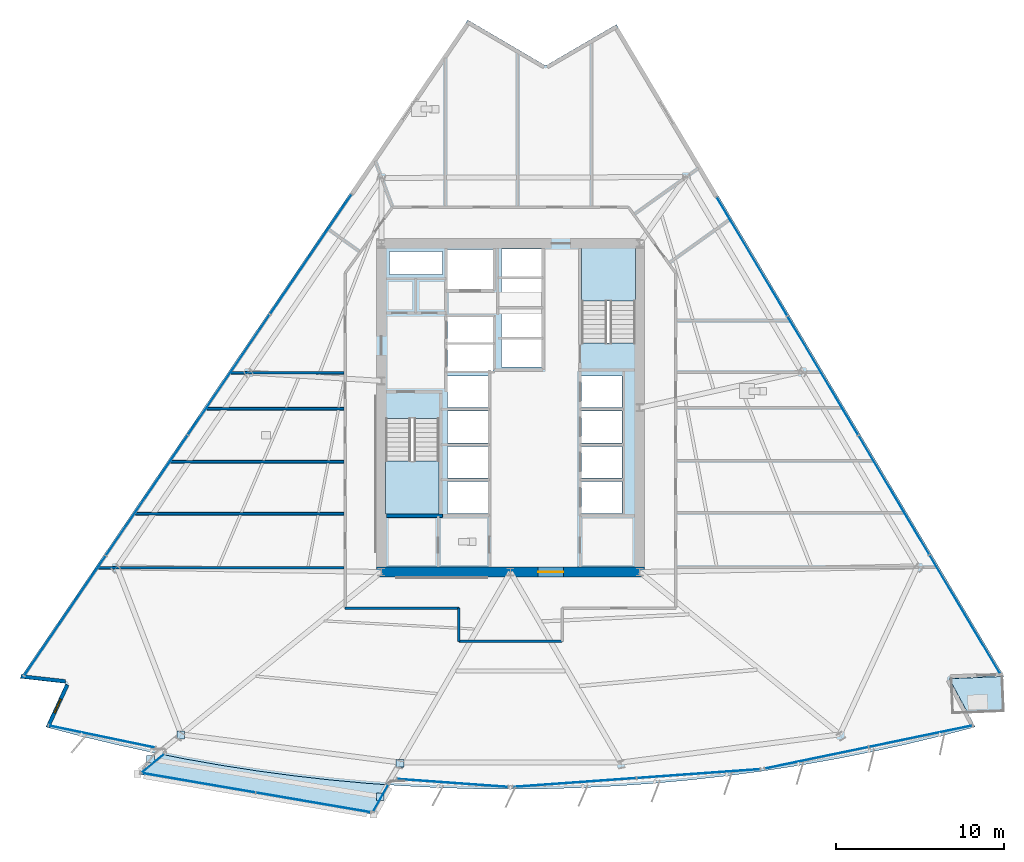
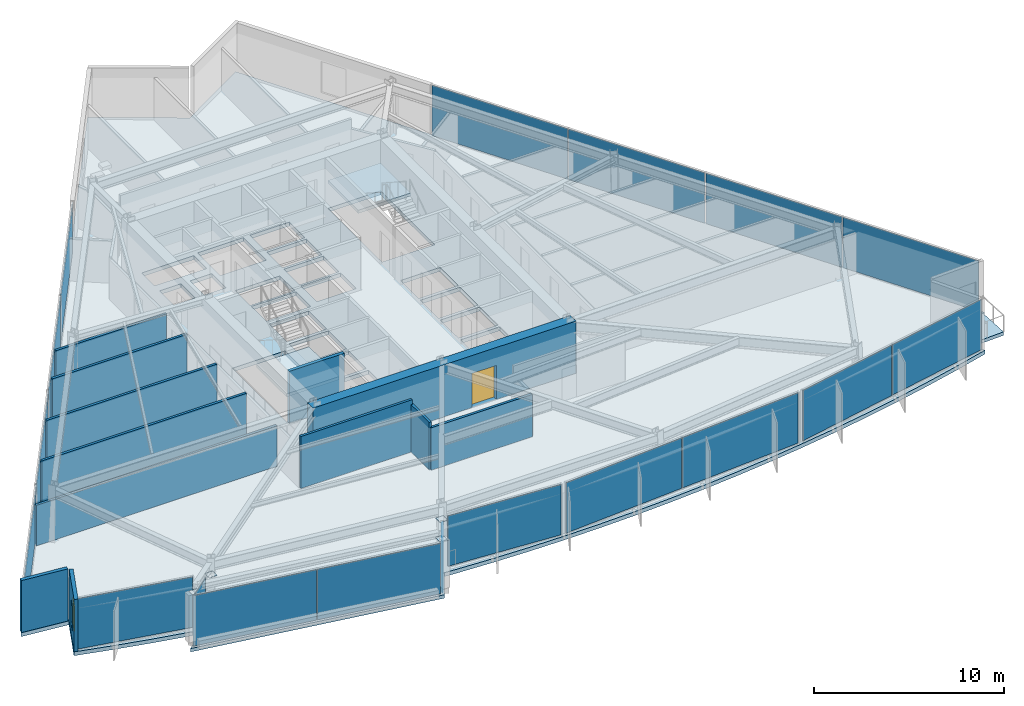
# One storey, part 8 of 17: 22 plates, 12 walls, 5 slabs, 1 door, 1 window, 2 openings, 11 elements without a shape of their own.
"""IFC4 building model written with IfcOpenShell, lengths in metres."""

from ifc_helpers import new_model, si_unit, direction, frame, frame_2d, origin, origin_2d, place, context, subcontext, project, spatial, polyline, rectangle, outline, extrude, material, layer, layer_set, type_object, element, fill, aggregate, save


model = new_model("IFC4")

# Units and contexts
model_context = context("Model", 3, precision=1e-05, world=origin(), true_north=direction((0.0, 1.0)))
body_context = subcontext(model_context, "Body", "Model", "MODEL_VIEW")
ifc_project = project(units=[si_unit("LENGTHUNIT", "METRE"), si_unit("AREAUNIT", "SQUARE_METRE"), si_unit("VOLUMEUNIT", "CUBIC_METRE"), si_unit("PLANEANGLEUNIT", "RADIAN"), si_unit("MASSUNIT", "GRAM", prefix="KILO")], contexts=[model_context])

# Site, building, storey
site_placement = place(None, origin())
site = spatial("IfcSite", under=ifc_project, at=site_placement, CompositionType="ELEMENT")
building_placement = place(site_placement, origin())
building = spatial("IfcBuilding", under=site, at=building_placement, Name="Savorim Split Tower", CompositionType="ELEMENT")
storey_placement = place(building_placement, frame((0.0, 0.0, 58.800048828125)))
storey = spatial("IfcBuildingStorey", under=building, at=storey_placement, Name="L15", CompositionType="ELEMENT", Elevation=58.800048828125)

# Curtain wall, plate
ifc_material_1 = material(Name="Dark Ceramic-Fritted Insulated Glass", Category="glass")
curtain_wall_type_1 = type_object("IfcCurtainWallType", Name="CW-TWR-FRIT-A", PredefinedType="NOTDEFINED", material=ifc_material_1)
curtain_wall_1_placement = place(storey_placement, origin())
curtain_wall_1 = element("IfcCurtainWall", 1, at=curtain_wall_1_placement, inside=storey, type_object=curtain_wall_type_1, Name="L15 Curtain Wall CW-L15-SF1A", PredefinedType="NOTDEFINED")
ifc_layer_1 = layer(ifc_material_1, 0.028076171875)
ifc_layer_set_1 = layer_set([ifc_layer_1], Name="CWP-FRITA-28")
plate_type_1 = type_object("IfcPlateType", Name="CWP-FRITA-28", PredefinedType="CURTAIN_PANEL", material=ifc_layer_set_1)
plate_1_placement = place(storey_placement, frame((-24.37451171875, -19.212890625, 0.05517578125), z_axis=(0.0, 0.0, 1.0), x_axis=(0.979135263748, -0.203209584628, 0.0)))
plate_1 = element("IfcPlate", 2, at=plate_1_placement, type_object=plate_type_1, Name="CW-02 panel 1.1", PredefinedType="CURTAIN_PANEL", context=body_context, shape_type="SweptSolid", body=[
    extrude(rectangle(XDim=6.450439453125, YDim=0.028076171875, at=origin_2d()), origin(), (0.0, 0.0, 1.0), 3.239990234375),
])
aggregate(curtain_wall_1, [plate_1])

curtain_wall_2_placement = place(storey_placement, origin())
curtain_wall_2 = element("IfcCurtainWall", 3, at=curtain_wall_2_placement, inside=storey, type_object=curtain_wall_type_1, Name="L15 Curtain Wall CW-L15-SF2A", PredefinedType="NOTDEFINED")
plate_2_placement = place(storey_placement, frame((-3.45947265625, -21.98193359375, 0.05517578125), z_axis=(0.0, 0.0, 1.0), x_axis=(0.997436404283, -0.071558503422, 0.0)))
plate_2 = element("IfcPlate", 4, at=plate_2_placement, type_object=plate_type_1, Name="CW-02 panel 1.1", PredefinedType="CURTAIN_PANEL", context=body_context, shape_type="SweptSolid", body=[
    extrude(rectangle(XDim=6.6240234375, YDim=0.028076171875, at=origin_2d()), origin(), (0.0, 0.0, 1.0), 3.239990234375),
])
aggregate(curtain_wall_2, [plate_2])

# Curtain wall, plates
curtain_wall_3_placement = place(storey_placement, origin())
curtain_wall_3 = element("IfcCurtainWall", 5, at=curtain_wall_3_placement, inside=storey, type_object=curtain_wall_type_1, Name="L15 Curtain Wall CW-L15-SF3A", PredefinedType="NOTDEFINED")
plate_3_placement = place(storey_placement, frame((3.8203125, -21.9560546875, 0.05517578125), z_axis=(0.0, 0.0, 1.0), x_axis=(0.99743638956, 0.071558708634, 0.0)))
plate_3 = element("IfcPlate", 6, at=plate_3_placement, type_object=plate_type_1, Name="CW-02 panel 1.1", PredefinedType="CURTAIN_PANEL", context=body_context, shape_type="SweptSolid", body=[
    extrude(rectangle(XDim=7.347412109375, YDim=0.028076171875, at=origin_2d()), origin(), (0.0, 0.0, 1.0), 3.239990234375),
])
plate_4_placement = place(storey_placement, frame((11.2138671875, -21.425537109375, 0.05517578125), z_axis=(0.0, 0.0, 1.0), x_axis=(0.99743638956, 0.071558708634, 0.0)))
plate_4 = element("IfcPlate", 7, at=plate_4_placement, type_object=plate_type_1, Name="CW-02 panel 2.1", PredefinedType="CURTAIN_PANEL", context=body_context, shape_type="SweptSolid", body=[
    extrude(rectangle(XDim=7.347412109375, YDim=0.028076171875, at=origin_2d()), origin(), (0.0, 0.0, 1.0), 3.239990234375),
])
aggregate(curtain_wall_3, [plate_3, plate_4])

curtain_wall_4_placement = place(storey_placement, origin())
curtain_wall_4 = element("IfcCurtainWall", 8, at=curtain_wall_4_placement, inside=storey, type_object=curtain_wall_type_1, Name="L15 Curtain Wall CW-L15-SF4A", PredefinedType="NOTDEFINED")
plate_5_placement = place(storey_placement, frame((18.258544921875, -20.482421875, 0.05517578125), z_axis=(0.0, 0.0, 1.0), x_axis=(0.979133896415, 0.203216172809, 0.0)))
plate_5 = element("IfcPlate", 9, at=plate_5_placement, type_object=plate_type_1, Name="CW-02 panel 1.1", PredefinedType="CURTAIN_PANEL", context=body_context, shape_type="SweptSolid", body=[
    extrude(rectangle(XDim=6.27099609375, YDim=0.028076171875, at=origin_2d()), origin(), (0.0, 0.0, 1.0), 3.239990234375),
])
plate_6_placement = place(storey_placement, frame((24.46240234375, -19.19482421875, 0.05517578125), z_axis=(0.0, 0.0, 1.0), x_axis=(0.979133896415, 0.203216172809, 0.0)))
plate_6 = element("IfcPlate", 10, at=plate_6_placement, type_object=plate_type_1, Name="CW-02 panel 2.1", PredefinedType="CURTAIN_PANEL", context=body_context, shape_type="SweptSolid", body=[
    extrude(rectangle(XDim=6.27099609375, YDim=0.028076171875, at=origin_2d()), origin(), (0.0, 0.0, 1.0), 3.239990234375),
])
aggregate(curtain_wall_4, [plate_5, plate_6])

curtain_wall_5_placement = place(storey_placement, origin())
curtain_wall_5 = element("IfcCurtainWall", 11, at=curtain_wall_5_placement, inside=storey, type_object=curtain_wall_type_1, Name="L15 Curtain Wall CW-L15-EAST", PredefinedType="NOTDEFINED")
plate_7_placement = place(storey_placement, frame((27.0947265625, -11.918701171875, 0.05517578125), z_axis=(0.0, 0.0, 1.0), x_axis=(-0.511092320583, 0.859525822673, 0.0)))
plate_7 = element("IfcPlate", 12, at=plate_7_placement, type_object=plate_type_1, Name="CW-02 panel 1.1", PredefinedType="CURTAIN_PANEL", context=body_context, shape_type="SweptSolid", body=[
    extrude(rectangle(XDim=8.18896484375, YDim=0.028076171875, at=origin_2d()), origin(), (0.0, 0.0, 1.0), 3.239990234375),
])
plate_8_placement = place(storey_placement, frame((22.867919921875, -4.81005859375, 0.05517578125), z_axis=(0.0, 0.0, 1.0), x_axis=(-0.511092320583, 0.859525822673, 0.0)))
plate_8 = element("IfcPlate", 13, at=plate_8_placement, type_object=plate_type_1, Name="CW-02 panel 2.1", PredefinedType="CURTAIN_PANEL", context=body_context, shape_type="SweptSolid", body=[
    extrude(rectangle(XDim=8.221435546875, YDim=0.028076171875, at=origin_2d()), origin(), (0.0, 0.0, 1.0), 3.239990234375),
])
plate_9_placement = place(storey_placement, frame((18.632568359375, 2.3125, 0.05517578125), z_axis=(0.0, 0.0, 1.0), x_axis=(-0.511092320583, 0.859525822673, 0.0)))
plate_9 = element("IfcPlate", 14, at=plate_9_placement, type_object=plate_type_1, Name="CW-02 panel 3.1", PredefinedType="CURTAIN_PANEL", context=body_context, shape_type="SweptSolid", body=[
    extrude(rectangle(XDim=8.221435546875, YDim=0.028076171875, at=origin_2d()), origin(), (0.0, 0.0, 1.0), 3.239990234375),
])
plate_10_placement = place(storey_placement, frame((14.40576171875, 9.4208984375, 0.05517578125), z_axis=(0.0, 0.0, 1.0), x_axis=(-0.511092320583, 0.859525822673, 0.0)))
plate_10 = element("IfcPlate", 15, at=plate_10_placement, type_object=plate_type_1, Name="CW-02 panel 4.1", PredefinedType="CURTAIN_PANEL", context=body_context, shape_type="SweptSolid", body=[
    extrude(rectangle(XDim=8.18896484375, YDim=0.028076171875, at=origin_2d()), origin(), (0.0, 0.0, 1.0), 3.239990234375),
])
aggregate(curtain_wall_5, [plate_7, plate_8, plate_9, plate_10])

curtain_wall_6_placement = place(storey_placement, origin())
curtain_wall_6 = element("IfcCurtainWall", 16, at=curtain_wall_6_placement, inside=storey, type_object=curtain_wall_type_1, Name="L15 Curtain Wall CW-L15-WEST", PredefinedType="NOTDEFINED")
plate_11_placement = place(storey_placement, frame((-11.907470703125, 9.5517578125, 0.05517578125), z_axis=(0.0, 0.0, 1.0), x_axis=(-0.562466356423, -0.826820172644, 0.0)))
plate_11 = element("IfcPlate", 17, at=plate_11_placement, type_object=plate_type_1, Name="CW-02 panel 1.1", PredefinedType="CURTAIN_PANEL", context=body_context, shape_type="SweptSolid", body=[
    extrude(rectangle(XDim=8.606201171875, YDim=0.028076171875, at=origin_2d()), origin(), (0.0, 0.0, 1.0), 3.239990234375),
])
plate_12_placement = place(storey_placement, frame((-16.7939453125, 2.368896484375, 0.05517578125), z_axis=(0.0, 0.0, 1.0), x_axis=(-0.562466356423, -0.826820172644, 0.0)))
plate_12 = element("IfcPlate", 18, at=plate_12_placement, type_object=plate_type_1, Name="CW-02 panel 2.1", PredefinedType="CURTAIN_PANEL", context=body_context, shape_type="SweptSolid", body=[
    extrude(rectangle(XDim=8.638671875, YDim=0.028076171875, at=origin_2d()), origin(), (0.0, 0.0, 1.0), 3.239990234375),
])
plate_13_placement = place(storey_placement, frame((-21.689453125, -4.82763671875, 0.05517578125), z_axis=(0.0, 0.0, 1.0), x_axis=(-0.562466356423, -0.826820172644, 0.0)))
plate_13 = element("IfcPlate", 19, at=plate_13_placement, type_object=plate_type_1, Name="CW-02 panel 3.1", PredefinedType="CURTAIN_PANEL", context=body_context, shape_type="SweptSolid", body=[
    extrude(rectangle(XDim=8.638671875, YDim=0.028076171875, at=origin_2d()), origin(), (0.0, 0.0, 1.0), 3.239990234375),
])
plate_14_placement = place(storey_placement, frame((-26.57568359375, -12.010498046875, 0.05517578125), z_axis=(0.0, 0.0, 1.0), x_axis=(-0.562466356423, -0.826820172644, 0.0)))
plate_14 = element("IfcPlate", 20, at=plate_14_placement, type_object=plate_type_1, Name="CW-02 panel 4.1", PredefinedType="CURTAIN_PANEL", context=body_context, shape_type="SweptSolid", body=[
    extrude(rectangle(XDim=8.606201171875, YDim=0.028076171875, at=origin_2d()), origin(), (0.0, 0.0, 1.0), 3.239990234375),
])
aggregate(curtain_wall_6, [plate_11, plate_12, plate_13, plate_14])

curtain_wall_type_2 = type_object("IfcCurtainWallType", Name="CW-BAY-LOUNGE", PredefinedType="NOTDEFINED", material=ifc_material_1)
curtain_wall_7_placement = place(storey_placement, origin())
curtain_wall_7 = element("IfcCurtainWall", 21, at=curtain_wall_7_placement, inside=storey, type_object=curtain_wall_type_2, Name="L15 Curtain Wall CW-L15-BAYF", PredefinedType="NOTDEFINED")
ifc_material_2 = material(Name="Low-E Operable Double Glazing", Category="glass")
ifc_layer_2 = layer(ifc_material_2, 0.031982421875)
ifc_layer_set_2 = layer_set([ifc_layer_2], Name="CWP-POD-32")
plate_type_2 = type_object("IfcPlateType", Name="CWP-POD-32", PredefinedType="CURTAIN_PANEL", material=ifc_layer_set_2)
plate_15_placement = place(storey_placement, frame((-18.64404296875, -21.964599609375, 0.05517578125), z_axis=(0.0, 0.0, 1.0), x_axis=(0.985629301473, -0.168922704446, 0.0)))
plate_15 = element("IfcPlate", 22, at=plate_15_placement, type_object=plate_type_2, Name="CW-04 panel 1.1", PredefinedType="CURTAIN_PANEL", context=body_context, shape_type="SweptSolid", body=[
    extrude(rectangle(XDim=6.924072265625, YDim=0.031982421875, at=origin_2d()), origin(), (0.0, 0.0, 1.0), 3.239990234375),
])
plate_16_placement = place(storey_placement, frame((-11.75537109375, -23.145263671875, 0.05517578125), z_axis=(0.0, 0.0, 1.0), x_axis=(0.985629301473, -0.168922704446, 0.0)))
plate_16 = element("IfcPlate", 23, at=plate_16_placement, type_object=plate_type_2, Name="CW-04 panel 2.1", PredefinedType="CURTAIN_PANEL", context=body_context, shape_type="SweptSolid", body=[
    extrude(rectangle(XDim=6.924072265625, YDim=0.031982421875, at=origin_2d()), origin(), (0.0, 0.0, 1.0), 3.239990234375),
])
aggregate(curtain_wall_7, [plate_15, plate_16])

# Curtain wall, plate
curtain_wall_8_placement = place(storey_placement, origin())
curtain_wall_8 = element("IfcCurtainWall", 24, at=curtain_wall_8_placement, inside=storey, type_object=curtain_wall_type_2, Name="L15 Curtain Wall CW-L15-BAYW", PredefinedType="NOTDEFINED")
plate_17_placement = place(storey_placement, frame((-21.326904296875, -20.808349609375, 0.05517578125), z_axis=(0.0, 0.0, 1.0), x_axis=(-0.770361091507, -0.637607864358, 0.0)))
plate_17 = element("IfcPlate", 25, at=plate_17_placement, type_object=plate_type_2, Name="CW-04 panel 1.1", PredefinedType="CURTAIN_PANEL", context=body_context, shape_type="SweptSolid", body=[
    extrude(rectangle(XDim=1.705078125, YDim=0.031982421875, at=origin_2d()), origin(), (0.0, 0.0, 1.0), 3.239990234375),
])
aggregate(curtain_wall_8, [plate_17])

curtain_wall_9_placement = place(storey_placement, origin())
curtain_wall_9 = element("IfcCurtainWall", 26, at=curtain_wall_9_placement, inside=storey, type_object=curtain_wall_type_2, Name="L15 Curtain Wall CW-L15-BAYE", PredefinedType="NOTDEFINED")
plate_18_placement = place(storey_placement, frame((-7.73779296875, -22.879150390625, 0.05517578125), z_axis=(0.0, 0.0, 1.0), x_axis=(0.492259363735, 0.870448573332, 0.0)))
plate_18 = element("IfcPlate", 27, at=plate_18_placement, type_object=plate_type_2, Name="CW-04 panel 1.1", PredefinedType="CURTAIN_PANEL", context=body_context, shape_type="SweptSolid", body=[
    extrude(rectangle(XDim=1.81005859375, YDim=0.031982421875, at=origin_2d()), origin(), (0.0, 0.0, 1.0), 3.239990234375),
])
aggregate(curtain_wall_9, [plate_18])

# Plates
ifc_material_3 = material(Name="Steel S460", Category="steel")
ifc_layer_3 = layer(ifc_material_3, 0.02490234375)
ifc_layer_set_3 = layer_set([ifc_layer_3], Name="PLT-NODE-CN1")
plate_type_3 = type_object("IfcPlateType", Name="PLT-NODE-CN1", PredefinedType="SHEET", material=ifc_layer_set_3)
for number, where, z_axis, x_axis, name in (
    (28, (-19.665283203125, -19.12353515625, 2.4375), (0.0, 0.0, 1.0), (1.0, 0.0, 0.0), "L15 Bay Strut Column Gusset Plate 1"),
    (29, (-21.466796875, -20.5654296875, 2.8076171875), (0.0, 0.0, 1.0), (1.0, 0.0, 0.0), "L15 Bay Strut Tip Gusset Plate 1"),
    (30, (-6.5908203125, -20.80224609375, 2.4375), (0.0, 0.0, 1.0), (1.0, 0.0, 0.0), "L15 Bay Strut Column Gusset Plate 2"),
    (31, (-7.760986328125, -22.795166015625, 2.8076171875), (0.0, 0.0, 1.0), (1.0, 0.0, 0.0), "L15 Bay Strut Tip Gusset Plate 2"),
):
    element("IfcPlate", number, at=place(storey_placement, frame(where, z_axis=z_axis, x_axis=x_axis)), inside=storey, type_object=plate_type_3, Name=name, PredefinedType="SHEET", context=body_context, shape_type="SweptSolid", body=[
        extrude(rectangle(XDim=0.4599609375, YDim=0.4599609375, at=origin_2d()), origin(), (0.0, 0.0, 1.0), 0.02490234375),
    ])

# Slabs
ifc_material_4 = material(Name="Concrete C50/60", Category="concrete")
ifc_layer_4 = layer(ifc_material_4, 0.219970703125)
ifc_layer_set_4 = layer_set([ifc_layer_4], Name="SLB-BAL-220")
slab_type_1 = type_object("IfcSlabType", Name="SLB-BAL-220", PredefinedType="FLOOR", material=ifc_layer_set_4)
slab_1_placement = place(storey_placement, frame((0.0, 0.0, -0.219970703125)))
element("IfcSlab", 32, at=slab_1_placement, inside=storey, type_object=slab_type_1, Name="L15 Cantilevered Shared Kitchen Lounge Slab", PredefinedType="FLOOR", context=body_context, shape_type="SweptSolid", body=[
    extrude(outline(polyline([(-7.1826171875, -22.1005859375), (-8.62060546875, -21.997314453125), (-10.768798828125, -21.799072265625), (-12.912841796875, -21.556640625), (-15.05126953125, -21.2705078125), (-17.183349609375, -20.940673828125), (-19.308349609375, -20.5673828125), (-20.830322265625, -20.267578125), (-22.255615234375, -21.447021484375), (-8.177490234375, -23.85986328125), (-7.1826171875, -22.1005859375)])), origin(), (0.0, 0.0, 1.0), 0.219970703125),
])
slab_2_placement = place(storey_placement, frame((0.0, 0.0, -0.219970703125)))
element("IfcSlab", 33, at=slab_2_placement, inside=storey, type_object=slab_type_1, Name="L15 Notched Corner Planted Tree Balcony Slab", PredefinedType="FLOOR", context=body_context, shape_type="SweptSolid", body=[
    extrude(outline(polyline([(29.31640625, -15.631591796875), (26.29248046875, -15.76025390625), (26.302490234375, -15.991943359375), (27.25439453125, -17.76611328125), (29.4033203125, -17.6748046875), (29.31640625, -15.631591796875)])), origin(), (0.0, 0.0, 1.0), 0.219970703125),
])

# Stair, slab
stair_type = type_object("IfcStairType", Name="STR-DOG-3600", PredefinedType="HALF_TURN_STAIR", material=ifc_material_4)
stair_1_placement = place(storey_placement, origin())
stair_1 = element("IfcStair", 34, at=stair_1_placement, inside=storey, type_object=stair_type, Name="L15 Core Protected Exit Stair ST-1", PredefinedType="HALF_TURN_STAIR")
ifc_layer_5 = layer(ifc_material_4, 0.199951171875)
ifc_layer_set_5 = layer_set([ifc_layer_5], Name="SLB-LND-200")
slab_type_2 = type_object("IfcSlabType", Name="SLB-LND-200", PredefinedType="LANDING", material=ifc_layer_set_5)
slab_3_placement = place(storey_placement, frame((0.0, 0.0, 1.599853515625)))
slab_3 = element("IfcSlab", 35, at=slab_3_placement, type_object=slab_type_2, Name="ST-1 landing 1", PredefinedType="LANDING", context=body_context, shape_type="SweptSolid", body=[
    extrude(outline(polyline([(-7.449951171875, -2.77001953125), (-7.449951171875, -5.949951171875), (-4.25, -5.949951171875), (-4.25, -2.77001953125), (-7.449951171875, -2.77001953125)])), origin(), (0.0, 0.0, 1.0), 0.2001953125),
])
aggregate(stair_1, [slab_3])

stair_2_placement = place(storey_placement, origin())
stair_2 = element("IfcStair", 36, at=stair_2_placement, inside=storey, type_object=stair_type, Name="L15 Core Protected Exit Stair ST-2", PredefinedType="HALF_TURN_STAIR")
slab_4_placement = place(storey_placement, frame((0.0, 0.0, 1.599853515625)))
slab_4 = element("IfcSlab", 37, at=slab_4_placement, type_object=slab_type_2, Name="ST-2 landing 1", PredefinedType="LANDING", context=body_context, shape_type="SweptSolid", body=[
    extrude(outline(polyline([(7.449951171875, 6.77001953125), (7.449951171875, 9.949951171875), (4.25, 9.949951171875), (4.25, 6.77001953125), (7.449951171875, 6.77001953125)])), origin(), (0.0, 0.0, 1.0), 0.2001953125),
])
aggregate(stair_2, [slab_4])

# Slab
ifc_layer_6 = layer(ifc_material_4, 0.25)
ifc_layer_set_6 = layer_set([ifc_layer_6], Name="SLB-TWR-250")
slab_type_3 = type_object("IfcSlabType", Name="SLB-TWR-250", PredefinedType="FLOOR", material=ifc_layer_set_6)
slab_5_placement = place(storey_placement, frame((0.0, 0.0, -0.25)))
element("IfcSlab", 38, at=slab_5_placement, inside=storey, type_object=slab_type_3, Name="L15 Structural Floor Slab", PredefinedType="FLOOR", context=body_context, shape_type="SweptSolid", body=[
    extrude(outline(polyline([(-27.718505859375, -18.6416015625), (-25.631103515625, -19.1875), (-23.533203125, -19.6904296875), (-21.42529296875, -20.150390625), (-19.308349609375, -20.5673828125), (-17.183349609375, -20.940673828125), (-15.05126953125, -21.2705078125), (-12.912841796875, -21.556640625), (-10.768798828125, -21.799072265625), (-8.62060546875, -21.997314453125), (-6.468505859375, -22.15185546875), (-4.31396484375, -22.26220703125), (-2.157470703125, -22.328369140625), (0.0, -22.350341796875), (2.157470703125, -22.328369140625), (4.31396484375, -22.26220703125), (6.468505859375, -22.15185546875), (8.62060546875, -21.997314453125), (10.768798828125, -21.799072265625), (12.912841796875, -21.556640625), (15.05126953125, -21.2705078125), (17.183349609375, -20.940673828125), (19.308349609375, -20.5673828125), (21.42529296875, -20.150390625), (23.533203125, -19.6904296875), (25.631103515625, -19.1875), (27.718505859375, -18.6416015625), (26.17236328125, -15.760498046875), (29.436279296875, -15.62158203125), (6.318603515625, 23.256591796875), (2.098388671875, 20.797119140625), (-2.5458984375, 23.526611328125), (-29.255615234375, -15.736572265625), (-26.523681640625, -16.04150390625), (-27.718505859375, -18.6416015625)]), holes=[polyline([(-7.449951171875, -0.25390625), (-7.449951171875, -5.949951171875), (-4.25, -5.949951171875), (-4.25, -0.25390625), (-7.449951171875, -0.25390625)]), polyline([(7.449951171875, 4.25390625), (7.449951171875, 9.949951171875), (4.25, 9.949951171875), (4.25, 4.25390625), (7.449951171875, 4.25390625)]), polyline([(4.25, -5.89990234375), (6.64990234375, -5.89990234375), (6.64990234375, -4.0), (4.25, -4.0), (4.25, -5.89990234375)]), polyline([(4.25, -3.800048828125), (6.64990234375, -3.800048828125), (6.64990234375, -1.89990234375), (4.25, -1.89990234375), (4.25, -3.800048828125)]), polyline([(4.25, -1.699951171875), (6.64990234375, -1.699951171875), (6.64990234375, 0.199951171875), (4.25, 0.199951171875), (4.25, -1.699951171875)]), polyline([(4.25, 0.39990234375), (6.64990234375, 0.39990234375), (6.64990234375, 2.300048828125), (4.25, 2.300048828125), (4.25, 0.39990234375)]), polyline([(-3.75, -5.89990234375), (-1.35009765625, -5.89990234375), (-1.35009765625, -4.0), (-3.75, -4.0), (-3.75, -5.89990234375)]), polyline([(-3.75, -3.800048828125), (-1.35009765625, -3.800048828125), (-1.35009765625, -1.89990234375), (-3.75, -1.89990234375), (-3.75, -3.800048828125)]), polyline([(-3.75, -1.699951171875), (-1.35009765625, -1.699951171875), (-1.35009765625, 0.199951171875), (-3.75, 0.199951171875), (-3.75, -1.699951171875)]), polyline([(-3.75, 0.39990234375), (-1.35009765625, 0.39990234375), (-1.35009765625, 2.300048828125), (-3.75, 2.300048828125), (-3.75, 0.39990234375)]), polyline([(-0.550048828125, 2.830078125), (1.85009765625, 2.830078125), (1.85009765625, 4.469970703125), (-0.550048828125, 4.469970703125), (-0.550048828125, 2.830078125)]), polyline([(-0.550048828125, 4.6298828125), (1.85009765625, 4.6298828125), (1.85009765625, 6.27001953125), (-0.550048828125, 6.27001953125), (-0.550048828125, 4.6298828125)]), polyline([(-0.550048828125, 6.429931640625), (1.85009765625, 6.429931640625), (1.85009765625, 8.070068359375), (-0.550048828125, 8.070068359375), (-0.550048828125, 6.429931640625)]), polyline([(-0.550048828125, 8.22998046875), (1.85009765625, 8.22998046875), (1.85009765625, 9.8701171875), (-0.550048828125, 9.8701171875), (-0.550048828125, 8.22998046875)]), polyline([(-3.75, 2.60009765625), (-1.050048828125, 2.60009765625), (-1.050048828125, 4.159912109375), (-3.75, 4.159912109375), (-3.75, 2.60009765625)]), polyline([(-3.75, 4.280029296875), (-1.050048828125, 4.280029296875), (-1.050048828125, 5.840087890625), (-3.75, 5.840087890625), (-3.75, 4.280029296875)]), polyline([(-3.75, 7.449951171875), (-0.949951171875, 7.449951171875), (-0.949951171875, 9.85009765625), (-3.75, 9.85009765625), (-3.75, 7.449951171875)]), polyline([(-7.219970703125, 6.320068359375), (-5.919921875, 6.320068359375), (-5.919921875, 7.820068359375), (-7.219970703125, 7.820068359375), (-7.219970703125, 6.320068359375)]), polyline([(-5.3798828125, 6.320068359375), (-4.050048828125, 6.320068359375), (-4.050048828125, 7.820068359375), (-5.3798828125, 7.820068359375), (-5.3798828125, 6.320068359375)]), polyline([(-7.219970703125, 8.360107421875), (-4.050048828125, 8.360107421875), (-4.050048828125, 9.719970703125), (-7.219970703125, 9.719970703125), (-7.219970703125, 8.360107421875)])]), origin(), (0.0, 0.0, 1.0), 0.25),
])

# Wall, opening, door
ifc_material_5 = material(Name="Concrete C60/75", Category="concrete")
ifc_layer_7 = layer(ifc_material_5, 0.60009765625)
ifc_layer_set_7 = layer_set([ifc_layer_7], Name="WAL-COR-SH600")
wall_type_1 = type_object("IfcWallType", Name="WAL-COR-SH600", PredefinedType="SHEAR", material=ifc_layer_set_7)
wall_1_placement = place(storey_placement, frame((-8.0, -9.39990234375, 0.0), z_axis=(0.0, 0.0, 1.0), x_axis=(1.0, 0.0, 0.0)))
wall_1 = element("IfcWall", 39, at=wall_1_placement, inside=storey, type_object=wall_type_1, Name="L15 Offset Core South Shear Wall", PredefinedType="SHEAR", context=body_context, shape_type="SweptSolid", body=[
    extrude(rectangle(XDim=16.0, YDim=0.60009765625, at=frame_2d((8.0, 0.0))), origin(), (0.0, 0.0, 1.0), 3.349853515625),
])
opening_1_placement = place(wall_1_placement, frame((9.64990234375, 0.0, 0.0)))
opening_1 = element("IfcOpeningElement", 40, at=opening_1_placement, cuts=wall_1, Name="Opening DI-02", PredefinedType="OPENING", context=body_context, shape_type="SweptSolid", body=[
    extrude(rectangle(XDim=1.5, YDim=2.199951171875, at=frame_2d((0.75, 1.10009765625))), frame((0.0, 0.31005859375, 0.0), z_axis=(0.0, -1.0, 0.0), x_axis=(1.0, 0.0, 0.0)), (0.0, 0.0, 1.0), 0.6201171875),
])
ifc_material_6 = material(Name="Timber Fire Door Leaf", Category="wood")
door_type = type_object("IfcDoorType", Name="DOR-DBL-1500", OperationType="NOTDEFINED", PredefinedType="DOOR", material=ifc_material_6)
door_placement = place(opening_1_placement, origin())
door = element("IfcDoor", 41, at=door_placement, inside=storey, type_object=door_type, Name="DOR-L15-COR-LLOB - L15 Lift Lobby Main Rated Door", OperationType="DOUBLE_DOOR_SINGLE_SWING", OverallHeight=2.199951171875, OverallWidth=1.5, PredefinedType="DOOR", context=body_context, shape_type="SweptSolid", body=[
    extrude(rectangle(XDim=1.5, YDim=2.199951171875, at=frame_2d((0.75, 1.10009765625))), frame((0.0, 0.02490234375, 0.0), z_axis=(0.0, -1.0, 0.0), x_axis=(1.0, 0.0, 0.0)), (0.0, 0.0, 1.0), 0.050048828125),
])
fill(opening_1, door)

# Wall
ifc_material_7 = material(Name="Precast concrete C40/50", Category="concrete")
ifc_layer_8 = layer(ifc_material_7, 0.219970703125)
ifc_layer_set_8 = layer_set([ifc_layer_8], Name="WAL-EXT-CRN220")
wall_type_2 = type_object("IfcWallType", Name="WAL-EXT-CRN220", PredefinedType="SOLIDWALL", material=ifc_layer_set_8)
wall_2_placement = place(storey_placement, frame((-26.55029296875, -15.917724609375, 0.0), z_axis=(0.0, 0.0, 1.0), x_axis=(-0.993824465748, 0.110963648468, 0.0)))
element("IfcWall", 42, at=wall_2_placement, inside=storey, type_object=wall_type_2, Name="L15 Notched Corner Facade Wall SW1", PredefinedType="SOLIDWALL", context=body_context, shape_type="SweptSolid", body=[
    extrude(rectangle(XDim=2.6689453125, YDim=0.219970703125, at=frame_2d((1.33447265625, 0.0))), origin(), (0.0, 0.0, 1.0), 3.349853515625),
])

# Wall, opening, window
wall_3_placement = place(storey_placement, frame((-27.5927734375, -18.655517578125, 0.0), z_axis=(0.0, 0.0, 1.0), x_axis=(0.417515840695, 0.908669644463, 0.0)))
wall_3 = element("IfcWall", 43, at=wall_3_placement, inside=storey, type_object=wall_type_2, Name="L15 Notched Corner Facade Wall SW", PredefinedType="SOLIDWALL", context=body_context, shape_type="SweptSolid", body=[
    extrude(rectangle(XDim=2.78173828125, YDim=0.219970703125, at=frame_2d((1.390869140625, 0.0))), origin(), (0.0, 0.0, 1.0), 3.349853515625),
])
opening_2_placement = place(wall_3_placement, frame((0.940673828125, 0.0, 0.6201171875)))
opening_2 = element("IfcOpeningElement", 44, at=opening_2_placement, cuts=wall_3, Name="Opening WN-10", PredefinedType="OPENING", context=body_context, shape_type="SweptSolid", body=[
    extrude(rectangle(XDim=0.89990234375, YDim=1.60009765625, at=frame_2d((0.449951171875, 0.800048828125))), frame((0.0, 0.119873046875, 0.0), z_axis=(0.0, -1.0, 0.0), x_axis=(1.0, 0.0, 0.0)), (0.0, 0.0, 1.0), 0.239990234375),
])
window_type = type_object("IfcWindowType", Name="WIN-TWR-900x1600", PartitioningType="SINGLE_PANEL", PredefinedType="WINDOW", material=ifc_material_2)
window_placement = place(opening_2_placement, origin())
window = element("IfcWindow", 45, at=window_placement, inside=storey, type_object=window_type, Name="L15 Operable Corner Window SW", OverallHeight=1.60009765625, OverallWidth=0.89990234375, PartitioningType="SINGLE_PANEL", PredefinedType="WINDOW", context=body_context, shape_type="SweptSolid", body=[
    extrude(rectangle(XDim=0.89990234375, YDim=1.60009765625, at=frame_2d((0.449951171875, 0.800048828125))), frame((0.0, 0.030029296875, 0.0), z_axis=(0.0, -1.0, 0.0), x_axis=(1.0, 0.0, 0.0)), (0.0, 0.0, 1.0), 0.06005859375),
])
fill(opening_2, window)

# Walls
ifc_layer_9 = layer(ifc_material_4, 0.199951171875)
ifc_layer_set_9 = layer_set([ifc_layer_9], Name="WAL-INT-RC200")
wall_type_3 = type_object("IfcWallType", Name="WAL-INT-RC200", PredefinedType="SOLIDWALL", material=ifc_layer_set_9)
wall_4_placement = place(storey_placement, frame((-7.39990234375, -6.050048828125, 0.0), z_axis=(0.0, 0.0, 1.0), x_axis=(1.0, 0.0, 0.0)))
element("IfcWall", 46, at=wall_4_placement, inside=storey, type_object=wall_type_3, Name="L15 Structural Shaft Wall W-L15-KSEP-W", PredefinedType="SOLIDWALL", context=body_context, shape_type="SweptSolid", body=[
    extrude(rectangle(XDim=3.349853515625, YDim=0.199951171875, at=frame_2d((1.6748046875, 0.0))), origin(), (0.0, 0.0, 1.0), 3.349853515625),
])
ifc_material_8 = material(Name="Acoustic Gypsum Partition Board")
ifc_layer_10 = layer(ifc_material_8, 0.14990234375)
ifc_layer_set_10 = layer_set([ifc_layer_10], Name="WAL-PAR-150")
wall_type_4 = type_object("IfcWallType", Name="WAL-PAR-150", PredefinedType="PARTITIONING", material=ifc_layer_set_10)
wall_5_placement = place(storey_placement, frame((3.080078125, -13.530029296875, 0.0), z_axis=(0.0, 0.0, 1.0), x_axis=(-1.0, 0.0, 0.0)))
element("IfcWall", 47, at=wall_5_placement, inside=storey, type_object=wall_type_4, Name="L15 Partition W-L15-COR-08", PredefinedType="PARTITIONING", context=body_context, shape_type="SweptSolid", body=[
    extrude(rectangle(XDim=6.16015625, YDim=0.14990234375, at=frame_2d((3.080078125, 0.0))), origin(), (0.0, 0.0, 1.0), 2.724853515625),
])
wall_6_placement = place(storey_placement, frame((-3.080078125, -13.530029296875, 0.0), z_axis=(0.0, 0.0, 1.0), x_axis=(0.0, 1.0, 0.0)))
element("IfcWall", 48, at=wall_6_placement, inside=storey, type_object=wall_type_4, Name="L15 Partition W-L15-COR-09", PredefinedType="PARTITIONING", context=body_context, shape_type="SweptSolid", body=[
    extrude(rectangle(XDim=1.969970703125, YDim=0.14990234375, at=frame_2d((0.98486328125, 0.0))), origin(), (0.0, 0.0, 1.0), 3.054931640625),
])
wall_7_placement = place(storey_placement, frame((-3.080078125, -11.56005859375, 0.0), z_axis=(0.0, 0.0, 1.0), x_axis=(-1.0, 0.0, 0.0)))
element("IfcWall", 49, at=wall_7_placement, inside=storey, type_object=wall_type_4, Name="L15 Partition W-L15-COR-10", PredefinedType="PARTITIONING", context=body_context, shape_type="SweptSolid", body=[
    extrude(rectangle(XDim=6.780029296875, YDim=0.14990234375, at=frame_2d((3.39013671875, 0.0))), origin(), (0.0, 0.0, 1.0), 3.349853515625),
])
wall_8_placement = place(storey_placement, frame((-9.919921875, 2.47998046875, 0.0), z_axis=(0.0, 0.0, 1.0), x_axis=(-1.0, 0.0, 0.0)))
element("IfcWall", 50, at=wall_8_placement, inside=storey, type_object=wall_type_4, Name="L15 Partition W-L15-PRAD09", PredefinedType="PARTITIONING", context=body_context, shape_type="SweptSolid", body=[
    extrude(rectangle(XDim=6.738037109375, YDim=0.14990234375, at=frame_2d((3.369140625, 0.0))), origin(), (0.0, 0.0, 1.0), 2.73486328125),
])
wall_9_placement = place(storey_placement, frame((-9.919921875, -9.15478515625, 0.0), z_axis=(0.0, 0.0, 1.0), x_axis=(-1.0, 0.0, 0.0)))
element("IfcWall", 51, at=wall_9_placement, inside=storey, type_object=wall_type_4, Name="L15 Partition W-L15-PRAD10", PredefinedType="PARTITIONING", context=body_context, shape_type="SweptSolid", body=[
    extrude(rectangle(XDim=14.65283203125, YDim=0.14990234375, at=frame_2d((7.326416015625, 0.0))), origin(), (0.0, 0.0, 1.0), 2.60888671875),
])
wall_10_placement = place(storey_placement, frame((-9.919921875, -2.82568359375, 0.0), z_axis=(0.0, 0.0, 1.0), x_axis=(-1.0, 0.0, 0.0)))
element("IfcWall", 52, at=wall_10_placement, inside=storey, type_object=wall_type_4, Name="L15 Partition W-L15-SUB01", PredefinedType="PARTITIONING", context=body_context, shape_type="SweptSolid", body=[
    extrude(rectangle(XDim=10.34716796875, YDim=0.14990234375, at=frame_2d((5.173583984375, 0.0))), origin(), (0.0, 0.0, 1.0), 2.73486328125),
])
wall_11_placement = place(storey_placement, frame((-9.919921875, 0.339111328125, 0.0), z_axis=(0.0, 0.0, 1.0), x_axis=(-1.0, 0.0, 0.0)))
element("IfcWall", 53, at=wall_11_placement, inside=storey, type_object=wall_type_4, Name="L15 Partition W-L15-SUB06", PredefinedType="PARTITIONING", context=body_context, shape_type="SweptSolid", body=[
    extrude(rectangle(XDim=8.1943359375, YDim=0.14990234375, at=frame_2d((4.09716796875, 0.0))), origin(), (0.0, 0.0, 1.0), 2.73486328125),
])
wall_12_placement = place(storey_placement, frame((-9.919921875, -5.919189453125, 0.0), z_axis=(0.0, 0.0, 1.0), x_axis=(-1.0, 0.0, 0.0)))
element("IfcWall", 54, at=wall_12_placement, inside=storey, type_object=wall_type_4, Name="L15 Partition W-L15-SUB07", PredefinedType="PARTITIONING", context=body_context, shape_type="SweptSolid", body=[
    extrude(rectangle(XDim=12.45166015625, YDim=0.14990234375, at=frame_2d((6.225830078125, 0.0))), origin(), (0.0, 0.0, 1.0), 2.73486328125),
])

save(model, "model.ifc")
